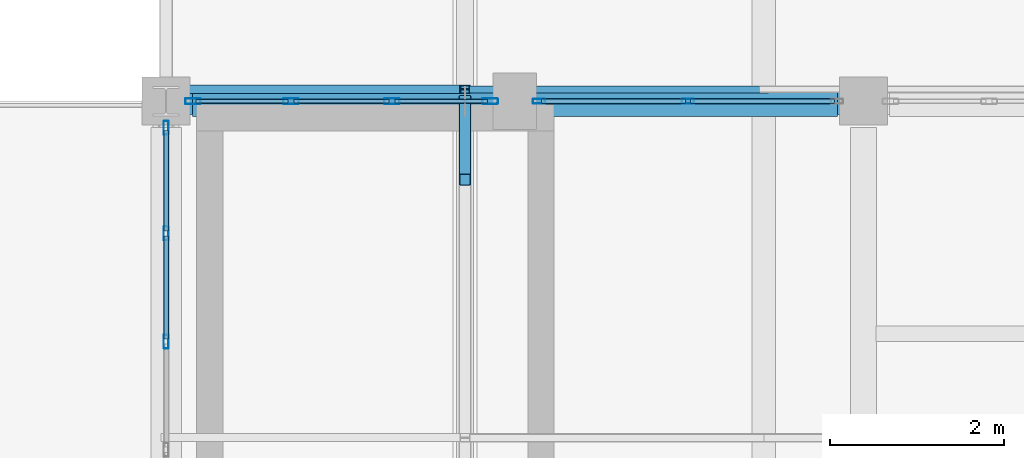
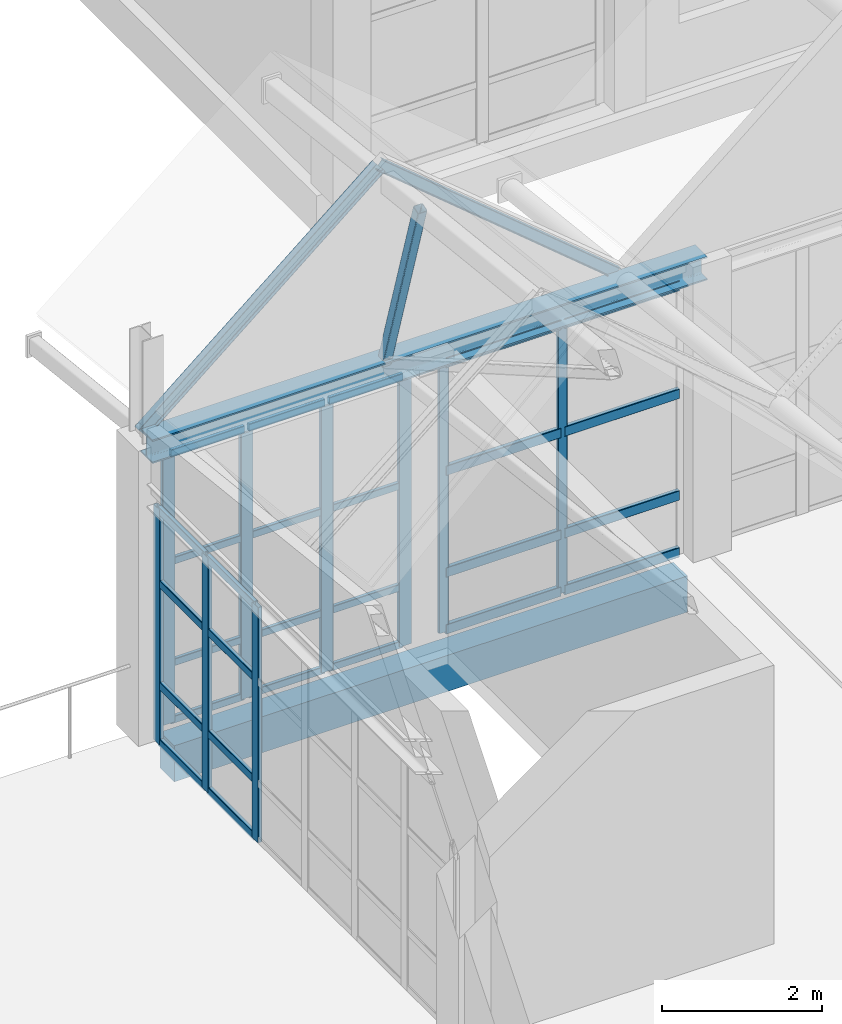
# One storey, part 60 of 183: 40 members, 2 beams, 3 elements without a shape of their own.
"""IFC4 building model written with IfcOpenShell, lengths in metres."""

import ifcopenshell
import ifcopenshell.guid

model = None  # the IFC model being written
_history = None  # IfcOwnerHistory: only IFC2X3 demands one
_inside = {}  # id of a spatial element -> (the spatial element, [elements in it])
_under = {}  # id of a project, library or spatial element -> (it, [spatial elements below it])
_declared = {}  # id of a project -> (the project, [libraries it declares])
_typed = {}  # id of a type object -> (the type object, [elements of that type])
_made_of = {}  # id of a material, layer set ... -> (it, [elements and type objects made of it])


def new_model(schema):
    """Start an empty IFC model of exactly this schema.

    Asked for "IFC4X3", IfcOpenShell would pick the latest addendum, in which some entities
    have other attributes; the version numbers below select the first issue.
    IFC2X3 requires an IfcOwnerHistory on every rooted entity: one is made here for all.
    """
    global model, _history
    if schema == "IFC4X3":
        model = ifcopenshell.file(schema_version=(4, 3, 0, 0))
    else:
        model = ifcopenshell.file(schema=schema)
    _inside.clear()
    _under.clear()
    _declared.clear()
    _typed.clear()
    _made_of.clear()
    _history = None
    if model.schema == "IFC2X3":
        org = make("IfcOrganization", Name="unknown")
        user = make(
            "IfcPersonAndOrganization",
            ThePerson=make("IfcPerson", FamilyName="unknown"),
            TheOrganization=org,
        )
        app = make(
            "IfcApplication",
            ApplicationDeveloper=org,
            Version="unknown",
            ApplicationFullName="unknown",
            ApplicationIdentifier="unknown",
        )
        _history = make(
            "IfcOwnerHistory",
            OwningUser=user,
            OwningApplication=app,
            ChangeAction="ADDED",
            CreationDate=0,
        )
    return model


def make(cls, **values):
    """One entity of the class cls with the attributes given. An attribute that is None is left unset."""
    return model.create_entity(
        cls, **{name: value for name, value in values.items() if value is not None}
    )


def rooted(cls, **values):
    """An entity with a GlobalId (a new one), such as an element, a storey or a relation."""
    return make(cls, GlobalId=ifcopenshell.guid.new(), OwnerHistory=_history, **values)


def si_unit(unit_type, name, prefix=None):
    """IfcSIUnit, for example si_unit("LENGTHUNIT", "METRE", prefix="MILLI")."""
    return make("IfcSIUnit", UnitType=unit_type, Prefix=prefix, Name=name)


def assignment(units):
    """IfcUnitAssignment: the units of a project."""
    return None if units is None else make("IfcUnitAssignment", Units=units)


def point(xyz):
    """IfcCartesianPoint."""
    return None if xyz is None else make("IfcCartesianPoint", Coordinates=xyz)


def direction(xyz):
    """IfcDirection."""
    return None if xyz is None else make("IfcDirection", DirectionRatios=xyz)


def frame(location, z_axis=None, x_axis=None):
    """IfcAxis2Placement3D, a coordinate frame: its origin and axes. An axis left out is left unset."""
    return make(
        "IfcAxis2Placement3D",
        Location=point(location),
        Axis=direction(z_axis),
        RefDirection=direction(x_axis),
    )


def frame_2d(location, x_axis=None):
    """IfcAxis2Placement2D, a coordinate frame in the plane: its origin and x axis."""
    return make(
        "IfcAxis2Placement2D", Location=point(location), RefDirection=direction(x_axis)
    )


def origin():
    """The frame at (0, 0, 0) with its axes left unset."""
    return frame((0.0, 0.0, 0.0))


def origin_2d():
    """The frame at (0, 0) in the plane with its x axis left unset."""
    return frame_2d((0.0, 0.0))


def place(relative_to, where):
    """IfcLocalPlacement: puts the frame where relative to a parent placement (None: the world)."""
    return make(
        "IfcLocalPlacement", PlacementRelTo=relative_to, RelativePlacement=where
    )


def context(
    kind, dimensions, precision=None, world=None, true_north=None, identifier=None
):
    """IfcGeometricRepresentationContext, for example the 3D "Model" context."""
    return make(
        "IfcGeometricRepresentationContext",
        ContextIdentifier=identifier,
        ContextType=kind,
        CoordinateSpaceDimension=dimensions,
        Precision=precision,
        WorldCoordinateSystem=world,
        TrueNorth=true_north,
    )


def subcontext(parent, identifier, kind, view, scale=None):
    """IfcGeometricRepresentationSubContext, for example "Body" below "Model"."""
    return make(
        "IfcGeometricRepresentationSubContext",
        ContextIdentifier=identifier,
        ContextType=kind,
        ParentContext=parent,
        TargetScale=scale,
        TargetView=view,
    )


def project(units=None, contexts=None):
    """IfcProject with its units and contexts."""
    return rooted(
        "IfcProject",
        Name="project",
        RepresentationContexts=contexts,
        UnitsInContext=assignment(units),
    )


def spatial(cls, under=None, at=None, **own):
    """A site, building, storey or space (cls), placed at a placement, below another one or the project."""
    s = rooted(cls, ObjectPlacement=at, **own)
    if under is not None:
        _under.setdefault(under.id(), (under, []))[1].append(s)
    return s


def profile(cls, at=None, kind="AREA", **sizes):
    """A parametric profile (cls). Its sizes go by their IFC names, for example OverallWidth=200.0."""
    return make(cls, ProfileType=kind, Position=at, **sizes)


def rectangle(**sizes):
    """IfcRectangleProfileDef."""
    return profile("IfcRectangleProfileDef", **sizes)


def hollow_rectangle(**sizes):
    """IfcRectangleHollowProfileDef."""
    return profile("IfcRectangleHollowProfileDef", **sizes)


def i_section(**sizes):
    """IfcIShapeProfileDef."""
    return profile("IfcIShapeProfileDef", **sizes)


def extrude(swept, where, along, depth):
    """IfcExtrudedAreaSolid: the profile swept, set in the frame where, extruded along a direction by depth."""
    return make(
        "IfcExtrudedAreaSolid",
        SweptArea=swept,
        Position=where,
        ExtrudedDirection=direction(along),
        Depth=depth,
    )


def shape(context_of_items, identifier, shape_type, items):
    """IfcShapeRepresentation: the items that make up one representation, for example the "Body"."""
    return make(
        "IfcShapeRepresentation",
        ContextOfItems=context_of_items,
        RepresentationIdentifier=identifier,
        RepresentationType=shape_type,
        Items=items,
    )


def material(Name=None, Category=None):
    """IfcMaterial."""
    return make("IfcMaterial", Name=Name, Category=Category)


def material_profile(
    of_material, cross_section, Name=None, Category=None, Priority=None
):
    """IfcMaterialProfile: a cross section and its material."""
    return make(
        "IfcMaterialProfile",
        Name=Name,
        Material=of_material,
        Profile=cross_section,
        Priority=Priority,
        Category=Category,
    )


def profile_set(profiles, Name=None, composite=None):
    """IfcMaterialProfileSet."""
    return make(
        "IfcMaterialProfileSet",
        Name=Name,
        MaterialProfiles=profiles,
        CompositeProfile=composite,
    )


def made_of(thing, what):
    """Note that an element or type object is made of a material, layer set ...; save() writes the relation."""
    if what is not None:
        _made_of.setdefault(what.id(), (what, []))[1].append(thing)
    return thing


def type_object(cls, material=None, **own):
    """A type object (cls), such as IfcWallType, which elements share."""
    return made_of(rooted(cls, **own), material)


def element(
    cls,
    number,
    at=None,
    inside=None,
    cuts=None,
    type_object=None,
    material=None,
    context=None,
    identifier="Body",
    shape_type=None,
    held_by="IfcProductDefinitionShape",
    body=None,
    shapes=None,
    **own,
):
    """One element of the class cls, such as IfcWall. Its Tag is "e" and its number.

    at: its placement. inside: the storey or other place that contains it. cuts: it is an
    opening in that element (IfcRelVoidsElement). A single representation is given by context,
    identifier, shape_type and body (its items); several are given by shapes. held_by: the class
    of the entity that holds the representations. save() writes the other relations.
    """
    e = rooted(cls, Tag="e%d" % number, ObjectPlacement=at, **own)
    if body is not None:
        shapes = [shape(context, identifier, shape_type, body)]
    if shapes is not None:
        e.Representation = make(held_by, Representations=shapes)
    if inside is not None:
        _inside.setdefault(inside.id(), (inside, []))[1].append(e)
    if cuts is not None:
        rooted(
            "IfcRelVoidsElement", RelatingBuildingElement=cuts, RelatedOpeningElement=e
        )
    if type_object is not None:
        _typed.setdefault(type_object.id(), (type_object, []))[1].append(e)
    return made_of(e, material)


def aggregate(whole, parts):
    """IfcRelAggregates: a whole, such as a stair, and the parts it consists of."""
    return rooted("IfcRelAggregates", RelatingObject=whole, RelatedObjects=parts)


def save(model, path):
    """Write the relations noted so far, then the file.

    IfcRelAggregates (storeys below a building ...), IfcRelContainedInSpatialStructure (elements
    in a storey), IfcRelDefinesByType, IfcRelAssociatesMaterial and IfcRelDeclares: one each for
    every whole, place, type object, material and project.
    """
    for whole, parts in _under.values():
        aggregate(whole, parts)
    for where, things in _inside.values():
        rooted(
            "IfcRelContainedInSpatialStructure",
            RelatedElements=things,
            RelatingStructure=where,
        )
    for kind, things in _typed.values():
        rooted("IfcRelDefinesByType", RelatedObjects=things, RelatingType=kind)
    for what, things in _made_of.values():
        rooted("IfcRelAssociatesMaterial", RelatedObjects=things, RelatingMaterial=what)
    for by, libraries in _declared.values():
        rooted("IfcRelDeclares", RelatingContext=by, RelatedDefinitions=libraries)
    model.write(path)


model = new_model("IFC4")

# Units and contexts
model_context = context("Model", 3, precision=1e-05, world=origin(), true_north=direction((0.0, 1.0)))
body_context = subcontext(model_context, "Body", "Model", "MODEL_VIEW")
ifc_project = project(units=[si_unit("LENGTHUNIT", "METRE"), si_unit("AREAUNIT", "SQUARE_METRE"), si_unit("VOLUMEUNIT", "CUBIC_METRE"), si_unit("PLANEANGLEUNIT", "RADIAN"), si_unit("MASSUNIT", "GRAM", prefix="KILO")], contexts=[model_context])

# Site, building, storey
site_placement = place(None, origin())
site = spatial("IfcSite", under=ifc_project, at=site_placement, CompositionType="ELEMENT")
building_placement = place(site_placement, origin())
building = spatial("IfcBuilding", under=site, at=building_placement, Name="Luwemba Playhouse", CompositionType="ELEMENT")
storey_placement = place(building_placement, frame((0.0, 0.0, 4.800048828125)))
storey = spatial("IfcBuildingStorey", under=building, at=storey_placement, Name="L01", CompositionType="ELEMENT", Elevation=4.800048828125)

# Beams
ifc_material_1 = material(Name="Steel S355", Category="steel")
ifc_material_profile_1 = material_profile(ifc_material_1, i_section(OverallWidth=0.300048828125, OverallDepth=0.360107421875, WebThickness=0.012451171875, FlangeThickness=0.0224609375, FilletRadius=0.027099609375, at=origin_2d()))
ifc_profile_set_1 = profile_set([ifc_material_profile_1], Name="Steel S355")
beam_type_1 = type_object("IfcBeamType", Name="BM-SB09", PredefinedType="BEAM", material=ifc_profile_set_1)
beam_1_placement = place(storey_placement, frame((124.0, 27.0, 4.320068359375), z_axis=(1.0, 0.0, 0.0), x_axis=(0.0, 1.0, 0.0)))
element("IfcBeam", 1, at=beam_1_placement, inside=storey, type_object=beam_type_1, Name="RF-V5E eave ring beam 0297", PredefinedType="BEAM", context=body_context, shape_type="SweptSolid", body=[
    extrude(i_section(OverallWidth=0.300048828125, OverallDepth=0.360107421875, WebThickness=0.012451171875, FlangeThickness=0.0224609375, FilletRadius=0.027099609375, at=origin_2d()), origin(), (0.0, 0.0, 1.0), 8.0),
])
ifc_material_2 = material(Name="Concrete C40/50", Category="concrete")
ifc_material_profile_2 = material_profile(ifc_material_2, rectangle(XDim=0.35009765625, YDim=0.550048828125, at=origin_2d()))
ifc_profile_set_2 = profile_set([ifc_material_profile_2], Name="Concrete C40/50")
beam_type_2 = type_object("IfcBeamType", Name="BM-SP2", PredefinedType="SPANDREL", material=ifc_profile_set_2)
beam_2_placement = place(storey_placement, frame((124.300048828125, 27.0, -0.525146484375), z_axis=(1.0, 0.0, 0.0), x_axis=(0.0, 1.0, 0.0)))
element("IfcBeam", 2, at=beam_2_placement, inside=storey, type_object=beam_type_2, Name="L01 grid girder 0537", PredefinedType="SPANDREL", context=body_context, shape_type="SweptSolid", body=[
    extrude(rectangle(XDim=0.35009765625, YDim=0.550048828125, at=origin_2d()), origin(), (0.0, 0.0, 1.0), 7.39990234375),
])

# Curtain wall, members
ifc_material_3 = material(Name="Solar-control double glazing", Category="glass")
curtain_wall_type_1 = type_object("IfcCurtainWallType", Name="CW-CW116", PredefinedType="USERDEFINED", material=ifc_material_3)
curtain_wall_1_placement = place(storey_placement, origin())
curtain_wall_1 = element("IfcCurtainWall", 3, at=curtain_wall_1_placement, inside=storey, type_object=curtain_wall_type_1, Name="L01 V5E unitised curtain wall 154", ObjectType="UNITISED GLAZING", PredefinedType="USERDEFINED")
ifc_material_4 = material(Name="Aluminium 6063-T6", Category="aluminium")
ifc_material_profile_3 = material_profile(ifc_material_4, hollow_rectangle(XDim=0.06005859375, YDim=0.159912109375, WallThickness=0.00390625, InnerFilletRadius=0.006103515625, OuterFilletRadius=0.010009765625, at=origin_2d()))
ifc_profile_set_3 = profile_set([ifc_material_profile_3], Name="Aluminium 6063-T6")
member_type_1 = type_object("IfcMemberType", Name="CWM-M1", PredefinedType="MULLION", material=ifc_profile_set_3)
member_1_placement = place(storey_placement, frame((124.0, 24.24169921875, 0.0), z_axis=(0.0, 0.0, 1.0), x_axis=(-1.0, 0.0, 0.0)))
member_1 = element("IfcMember", 4, at=member_1_placement, type_object=member_type_1, Name="CW116 mullion 5", PredefinedType="MULLION", context=body_context, shape_type="SweptSolid", body=[
    extrude(hollow_rectangle(XDim=0.06005859375, YDim=0.159912109375, WallThickness=0.00390625, InnerFilletRadius=0.006103515625, OuterFilletRadius=0.010009765625, at=origin_2d()), origin(), (0.0, 0.0, 1.0), 3.5849609375),
])
member_2_placement = place(storey_placement, frame((124.0, 25.4833984375, 0.0), z_axis=(0.0, 0.0, 1.0), x_axis=(-1.0, 0.0, 0.0)))
member_2 = element("IfcMember", 5, at=member_2_placement, type_object=member_type_1, Name="CW116 mullion 6", PredefinedType="MULLION", context=body_context, shape_type="SweptSolid", body=[
    extrude(hollow_rectangle(XDim=0.06005859375, YDim=0.159912109375, WallThickness=0.00390625, InnerFilletRadius=0.006103515625, OuterFilletRadius=0.010009765625, at=origin_2d()), origin(), (0.0, 0.0, 1.0), 3.5849609375),
])
member_3_placement = place(storey_placement, frame((124.0, 26.695068359375, 0.0), z_axis=(0.0, 0.0, 1.0), x_axis=(-1.0, 0.0, 0.0)))
member_3 = element("IfcMember", 6, at=member_3_placement, type_object=member_type_1, Name="CW116 mullion 7", PredefinedType="MULLION", context=body_context, shape_type="SweptSolid", body=[
    extrude(hollow_rectangle(XDim=0.06005859375, YDim=0.159912109375, WallThickness=0.00390625, InnerFilletRadius=0.006103515625, OuterFilletRadius=0.010009765625, at=origin_2d()), origin(), (0.0, 0.0, 1.0), 3.5849609375),
])

curtain_wall_type_2 = type_object("IfcCurtainWallType", Name="CW-CW117", PredefinedType="USERDEFINED", material=ifc_material_3)
curtain_wall_2_placement = place(storey_placement, origin())
curtain_wall_2 = element("IfcCurtainWall", 7, at=curtain_wall_2_placement, inside=storey, type_object=curtain_wall_type_2, Name="L01 V5E unitised curtain wall 155", ObjectType="UNITISED GLAZING", PredefinedType="USERDEFINED")
ifc_material_profile_4 = material_profile(ifc_material_4, hollow_rectangle(XDim=0.06494140625, YDim=0.179931640625, WallThickness=0.00439453125, InnerFilletRadius=0.0068359375, OuterFilletRadius=0.01123046875, at=origin_2d()))
ifc_profile_set_4 = profile_set([ifc_material_profile_4], Name="Aluminium 6063-T6")
member_type_2 = type_object("IfcMemberType", Name="CWM-M2", PredefinedType="MULLION", material=ifc_profile_set_4)
member_4_placement = place(storey_placement, frame((124.3076171875, 27.0, 0.0), z_axis=(0.0, 0.0, 1.0), x_axis=(0.0, 1.0, 0.0)))
member_4 = element("IfcMember", 8, at=member_4_placement, type_object=member_type_2, Name="CW117 mullion 1", PredefinedType="MULLION", context=body_context, shape_type="SweptSolid", body=[
    extrude(hollow_rectangle(XDim=0.06494140625, YDim=0.179931640625, WallThickness=0.00439453125, InnerFilletRadius=0.0068359375, OuterFilletRadius=0.01123046875, at=origin_2d()), origin(), (0.0, 0.0, 1.0), 4.125),
])
member_5_placement = place(storey_placement, frame((125.433349609375, 27.0, 0.0), z_axis=(0.0, 0.0, 1.0), x_axis=(0.0, 1.0, 0.0)))
member_5 = element("IfcMember", 9, at=member_5_placement, type_object=member_type_2, Name="CW117 mullion 2", PredefinedType="MULLION", context=body_context, shape_type="SweptSolid", body=[
    extrude(hollow_rectangle(XDim=0.06494140625, YDim=0.179931640625, WallThickness=0.00439453125, InnerFilletRadius=0.0068359375, OuterFilletRadius=0.01123046875, at=origin_2d()), origin(), (0.0, 0.0, 1.0), 4.125),
])
member_6_placement = place(storey_placement, frame((126.591552734375, 27.0, 0.0), z_axis=(0.0, 0.0, 1.0), x_axis=(0.0, 1.0, 0.0)))
member_6 = element("IfcMember", 10, at=member_6_placement, type_object=member_type_2, Name="CW117 mullion 3", PredefinedType="MULLION", context=body_context, shape_type="SweptSolid", body=[
    extrude(hollow_rectangle(XDim=0.06494140625, YDim=0.179931640625, WallThickness=0.00439453125, InnerFilletRadius=0.0068359375, OuterFilletRadius=0.01123046875, at=origin_2d()), origin(), (0.0, 0.0, 1.0), 4.125),
])
member_7_placement = place(storey_placement, frame((127.717529296875, 27.0, 0.0), z_axis=(0.0, 0.0, 1.0), x_axis=(0.0, 1.0, 0.0)))
member_7 = element("IfcMember", 11, at=member_7_placement, type_object=member_type_2, Name="CW117 mullion 4", PredefinedType="MULLION", context=body_context, shape_type="SweptSolid", body=[
    extrude(hollow_rectangle(XDim=0.06494140625, YDim=0.179931640625, WallThickness=0.00439453125, InnerFilletRadius=0.0068359375, OuterFilletRadius=0.01123046875, at=origin_2d()), origin(), (0.0, 0.0, 1.0), 4.125),
])

curtain_wall_type_3 = type_object("IfcCurtainWallType", Name="CW-CW118", PredefinedType="USERDEFINED", material=ifc_material_3)
curtain_wall_3_placement = place(storey_placement, origin())
curtain_wall_3 = element("IfcCurtainWall", 12, at=curtain_wall_3_placement, inside=storey, type_object=curtain_wall_type_3, Name="L01 V5E unitised curtain wall 156", ObjectType="UNITISED GLAZING", PredefinedType="USERDEFINED")
ifc_material_profile_5 = material_profile(ifc_material_4, hollow_rectangle(XDim=0.054931640625, YDim=0.139892578125, WallThickness=0.00390625, InnerFilletRadius=0.006103515625, OuterFilletRadius=0.010009765625, at=origin_2d()))
ifc_profile_set_5 = profile_set([ifc_material_profile_5], Name="Aluminium 6063-T6")
member_type_3 = type_object("IfcMemberType", Name="CWM-M3", PredefinedType="MULLION", material=ifc_profile_set_5)
member_8_placement = place(storey_placement, frame((128.277587890625, 27.0, 0.0), z_axis=(0.0, 0.0, 1.0), x_axis=(0.0, 1.0, 0.0)))
member_8 = element("IfcMember", 13, at=member_8_placement, type_object=member_type_3, Name="CW118 mullion 1", PredefinedType="MULLION", context=body_context, shape_type="SweptSolid", body=[
    extrude(hollow_rectangle(XDim=0.054931640625, YDim=0.139892578125, WallThickness=0.00390625, InnerFilletRadius=0.006103515625, OuterFilletRadius=0.010009765625, at=origin_2d()), origin(), (0.0, 0.0, 1.0), 4.125),
])
member_9_placement = place(storey_placement, frame((129.987548828125, 27.0, 0.0), z_axis=(0.0, 0.0, 1.0), x_axis=(0.0, 1.0, 0.0)))
member_9 = element("IfcMember", 14, at=member_9_placement, type_object=member_type_3, Name="CW118 mullion 2", PredefinedType="MULLION", context=body_context, shape_type="SweptSolid", body=[
    extrude(hollow_rectangle(XDim=0.054931640625, YDim=0.139892578125, WallThickness=0.00390625, InnerFilletRadius=0.006103515625, OuterFilletRadius=0.010009765625, at=origin_2d()), origin(), (0.0, 0.0, 1.0), 4.125),
])

# Member
ifc_material_profile_6 = material_profile(ifc_material_4, hollow_rectangle(XDim=0.06005859375, YDim=0.1201171875, WallThickness=0.00390625, InnerFilletRadius=0.006103515625, OuterFilletRadius=0.010009765625, at=origin_2d()))
ifc_profile_set_6 = profile_set([ifc_material_profile_6], Name="Aluminium 6063-T6")
member_type_4 = type_object("IfcMemberType", Name="CWT-T1", PredefinedType="USERDEFINED", material=ifc_profile_set_6)
member_10_placement = place(storey_placement, frame((124.0, 24.271728515625, 0.030029296875), z_axis=(0.0, 1.0, 0.0), x_axis=(-1.0, 0.0, 0.0)))
member_10 = element("IfcMember", 15, at=member_10_placement, type_object=member_type_4, Name="CW116 transom 5.1", ObjectType="TRANSOM", PredefinedType="USERDEFINED", context=body_context, shape_type="SweptSolid", body=[
    extrude(hollow_rectangle(XDim=0.06005859375, YDim=0.1201171875, WallThickness=0.00390625, InnerFilletRadius=0.006103515625, OuterFilletRadius=0.010009765625, at=origin_2d()), origin(), (0.0, 0.0, 1.0), 1.181640625),
])

member_11_placement = place(storey_placement, frame((124.0, 24.271728515625, 0.89990234375), z_axis=(0.0, 1.0, 0.0), x_axis=(-1.0, 0.0, 0.0)))
member_11 = element("IfcMember", 16, at=member_11_placement, type_object=member_type_4, Name="CW116 transom 5.2", ObjectType="TRANSOM", PredefinedType="USERDEFINED", context=body_context, shape_type="SweptSolid", body=[
    extrude(hollow_rectangle(XDim=0.06005859375, YDim=0.1201171875, WallThickness=0.00390625, InnerFilletRadius=0.006103515625, OuterFilletRadius=0.010009765625, at=origin_2d()), origin(), (0.0, 0.0, 1.0), 1.181640625),
])

member_12_placement = place(storey_placement, frame((124.0, 24.271728515625, 2.449951171875), z_axis=(0.0, 1.0, 0.0), x_axis=(-1.0, 0.0, 0.0)))
member_12 = element("IfcMember", 17, at=member_12_placement, type_object=member_type_4, Name="CW116 transom 5.3", ObjectType="TRANSOM", PredefinedType="USERDEFINED", context=body_context, shape_type="SweptSolid", body=[
    extrude(hollow_rectangle(XDim=0.06005859375, YDim=0.1201171875, WallThickness=0.00390625, InnerFilletRadius=0.006103515625, OuterFilletRadius=0.010009765625, at=origin_2d()), origin(), (0.0, 0.0, 1.0), 1.181640625),
])

member_13_placement = place(storey_placement, frame((124.0, 24.271728515625, 3.554931640625), z_axis=(0.0, 1.0, 0.0), x_axis=(-1.0, 0.0, 0.0)))
member_13 = element("IfcMember", 18, at=member_13_placement, type_object=member_type_4, Name="CW116 transom 5.4", ObjectType="TRANSOM", PredefinedType="USERDEFINED", context=body_context, shape_type="SweptSolid", body=[
    extrude(hollow_rectangle(XDim=0.06005859375, YDim=0.1201171875, WallThickness=0.00390625, InnerFilletRadius=0.006103515625, OuterFilletRadius=0.010009765625, at=origin_2d()), origin(), (0.0, 0.0, 1.0), 1.181640625),
])

member_14_placement = place(storey_placement, frame((124.0, 25.513427734375, 0.030029296875), z_axis=(0.0, 1.0, 0.0), x_axis=(-1.0, 0.0, 0.0)))
member_14 = element("IfcMember", 19, at=member_14_placement, type_object=member_type_4, Name="CW116 transom 6.1", ObjectType="TRANSOM", PredefinedType="USERDEFINED", context=body_context, shape_type="SweptSolid", body=[
    extrude(hollow_rectangle(XDim=0.06005859375, YDim=0.1201171875, WallThickness=0.00390625, InnerFilletRadius=0.006103515625, OuterFilletRadius=0.010009765625, at=origin_2d()), origin(), (0.0, 0.0, 1.0), 1.151611328125),
])

member_15_placement = place(storey_placement, frame((124.0, 25.513427734375, 0.89990234375), z_axis=(0.0, 1.0, 0.0), x_axis=(-1.0, 0.0, 0.0)))
member_15 = element("IfcMember", 20, at=member_15_placement, type_object=member_type_4, Name="CW116 transom 6.2", ObjectType="TRANSOM", PredefinedType="USERDEFINED", context=body_context, shape_type="SweptSolid", body=[
    extrude(hollow_rectangle(XDim=0.06005859375, YDim=0.1201171875, WallThickness=0.00390625, InnerFilletRadius=0.006103515625, OuterFilletRadius=0.010009765625, at=origin_2d()), origin(), (0.0, 0.0, 1.0), 1.151611328125),
])

member_16_placement = place(storey_placement, frame((124.0, 25.513427734375, 2.449951171875), z_axis=(0.0, 1.0, 0.0), x_axis=(-1.0, 0.0, 0.0)))
member_16 = element("IfcMember", 21, at=member_16_placement, type_object=member_type_4, Name="CW116 transom 6.3", ObjectType="TRANSOM", PredefinedType="USERDEFINED", context=body_context, shape_type="SweptSolid", body=[
    extrude(hollow_rectangle(XDim=0.06005859375, YDim=0.1201171875, WallThickness=0.00390625, InnerFilletRadius=0.006103515625, OuterFilletRadius=0.010009765625, at=origin_2d()), origin(), (0.0, 0.0, 1.0), 1.151611328125),
])

member_17_placement = place(storey_placement, frame((124.0, 25.513427734375, 3.554931640625), z_axis=(0.0, 1.0, 0.0), x_axis=(-1.0, 0.0, 0.0)))
member_17 = element("IfcMember", 22, at=member_17_placement, type_object=member_type_4, Name="CW116 transom 6.4", ObjectType="TRANSOM", PredefinedType="USERDEFINED", context=body_context, shape_type="SweptSolid", body=[
    extrude(hollow_rectangle(XDim=0.06005859375, YDim=0.1201171875, WallThickness=0.00390625, InnerFilletRadius=0.006103515625, OuterFilletRadius=0.010009765625, at=origin_2d()), origin(), (0.0, 0.0, 1.0), 1.151611328125),
])

aggregate(curtain_wall_1, [member_1, member_2, member_3, member_10, member_11, member_12, member_13, member_14, member_15, member_16, member_17])

ifc_material_profile_7 = material_profile(ifc_material_4, hollow_rectangle(XDim=0.054931640625, YDim=0.110107421875, WallThickness=0.00341796875, InnerFilletRadius=0.00537109375, OuterFilletRadius=0.0087890625, at=origin_2d()))
ifc_profile_set_7 = profile_set([ifc_material_profile_7], Name="Aluminium 6063-T6")
member_type_5 = type_object("IfcMemberType", Name="CWT-T2", PredefinedType="USERDEFINED", material=ifc_profile_set_7)
member_18_placement = place(storey_placement, frame((124.340087890625, 27.0, 0.02734375), z_axis=(1.0, 0.0, 0.0), x_axis=(0.0, 1.0, 0.0)))
member_18 = element("IfcMember", 23, at=member_18_placement, type_object=member_type_5, Name="CW117 transom 1.1", ObjectType="TRANSOM", PredefinedType="USERDEFINED", context=body_context, shape_type="SweptSolid", body=[
    extrude(hollow_rectangle(XDim=0.054931640625, YDim=0.110107421875, WallThickness=0.00341796875, InnerFilletRadius=0.00537109375, OuterFilletRadius=0.0087890625, at=origin_2d()), origin(), (0.0, 0.0, 1.0), 1.060791015625),
])

member_19_placement = place(storey_placement, frame((124.340087890625, 27.0, 0.89990234375), z_axis=(1.0, 0.0, 0.0), x_axis=(0.0, 1.0, 0.0)))
member_19 = element("IfcMember", 24, at=member_19_placement, type_object=member_type_5, Name="CW117 transom 1.2", ObjectType="TRANSOM", PredefinedType="USERDEFINED", context=body_context, shape_type="SweptSolid", body=[
    extrude(hollow_rectangle(XDim=0.054931640625, YDim=0.110107421875, WallThickness=0.00341796875, InnerFilletRadius=0.00537109375, OuterFilletRadius=0.0087890625, at=origin_2d()), origin(), (0.0, 0.0, 1.0), 1.060791015625),
])

member_20_placement = place(storey_placement, frame((124.340087890625, 27.0, 2.449951171875), z_axis=(1.0, 0.0, 0.0), x_axis=(0.0, 1.0, 0.0)))
member_20 = element("IfcMember", 25, at=member_20_placement, type_object=member_type_5, Name="CW117 transom 1.3", ObjectType="TRANSOM", PredefinedType="USERDEFINED", context=body_context, shape_type="SweptSolid", body=[
    extrude(hollow_rectangle(XDim=0.054931640625, YDim=0.110107421875, WallThickness=0.00341796875, InnerFilletRadius=0.00537109375, OuterFilletRadius=0.0087890625, at=origin_2d()), origin(), (0.0, 0.0, 1.0), 1.060791015625),
])

member_21_placement = place(storey_placement, frame((124.340087890625, 27.0, 4.097412109375), z_axis=(1.0, 0.0, 0.0), x_axis=(0.0, 1.0, 0.0)))
member_21 = element("IfcMember", 26, at=member_21_placement, type_object=member_type_5, Name="CW117 transom 1.4", ObjectType="TRANSOM", PredefinedType="USERDEFINED", context=body_context, shape_type="SweptSolid", body=[
    extrude(hollow_rectangle(XDim=0.054931640625, YDim=0.110107421875, WallThickness=0.00341796875, InnerFilletRadius=0.00537109375, OuterFilletRadius=0.0087890625, at=origin_2d()), origin(), (0.0, 0.0, 1.0), 1.060791015625),
])

member_22_placement = place(storey_placement, frame((125.4658203125, 27.0, 0.02734375), z_axis=(1.0, 0.0, 0.0), x_axis=(0.0, 1.0, 0.0)))
member_22 = element("IfcMember", 27, at=member_22_placement, type_object=member_type_5, Name="CW117 transom 2.1", ObjectType="TRANSOM", PredefinedType="USERDEFINED", context=body_context, shape_type="SweptSolid", body=[
    extrude(hollow_rectangle(XDim=0.054931640625, YDim=0.110107421875, WallThickness=0.00341796875, InnerFilletRadius=0.00537109375, OuterFilletRadius=0.0087890625, at=origin_2d()), origin(), (0.0, 0.0, 1.0), 1.09326171875),
])

member_23_placement = place(storey_placement, frame((125.4658203125, 27.0, 0.89990234375), z_axis=(1.0, 0.0, 0.0), x_axis=(0.0, 1.0, 0.0)))
member_23 = element("IfcMember", 28, at=member_23_placement, type_object=member_type_5, Name="CW117 transom 2.2", ObjectType="TRANSOM", PredefinedType="USERDEFINED", context=body_context, shape_type="SweptSolid", body=[
    extrude(hollow_rectangle(XDim=0.054931640625, YDim=0.110107421875, WallThickness=0.00341796875, InnerFilletRadius=0.00537109375, OuterFilletRadius=0.0087890625, at=origin_2d()), origin(), (0.0, 0.0, 1.0), 1.09326171875),
])

member_24_placement = place(storey_placement, frame((125.4658203125, 27.0, 2.449951171875), z_axis=(1.0, 0.0, 0.0), x_axis=(0.0, 1.0, 0.0)))
member_24 = element("IfcMember", 29, at=member_24_placement, type_object=member_type_5, Name="CW117 transom 2.3", ObjectType="TRANSOM", PredefinedType="USERDEFINED", context=body_context, shape_type="SweptSolid", body=[
    extrude(hollow_rectangle(XDim=0.054931640625, YDim=0.110107421875, WallThickness=0.00341796875, InnerFilletRadius=0.00537109375, OuterFilletRadius=0.0087890625, at=origin_2d()), origin(), (0.0, 0.0, 1.0), 1.09326171875),
])

member_25_placement = place(storey_placement, frame((125.4658203125, 27.0, 4.097412109375), z_axis=(1.0, 0.0, 0.0), x_axis=(0.0, 1.0, 0.0)))
member_25 = element("IfcMember", 30, at=member_25_placement, type_object=member_type_5, Name="CW117 transom 2.4", ObjectType="TRANSOM", PredefinedType="USERDEFINED", context=body_context, shape_type="SweptSolid", body=[
    extrude(hollow_rectangle(XDim=0.054931640625, YDim=0.110107421875, WallThickness=0.00341796875, InnerFilletRadius=0.00537109375, OuterFilletRadius=0.0087890625, at=origin_2d()), origin(), (0.0, 0.0, 1.0), 1.09326171875),
])

member_26_placement = place(storey_placement, frame((126.624267578125, 27.0, 0.02734375), z_axis=(1.0, 0.0, 0.0), x_axis=(0.0, 1.0, 0.0)))
member_26 = element("IfcMember", 31, at=member_26_placement, type_object=member_type_5, Name="CW117 transom 3.1", ObjectType="TRANSOM", PredefinedType="USERDEFINED", context=body_context, shape_type="SweptSolid", body=[
    extrude(hollow_rectangle(XDim=0.054931640625, YDim=0.110107421875, WallThickness=0.00341796875, InnerFilletRadius=0.00537109375, OuterFilletRadius=0.0087890625, at=origin_2d()), origin(), (0.0, 0.0, 1.0), 1.060791015625),
])

member_27_placement = place(storey_placement, frame((126.624267578125, 27.0, 0.89990234375), z_axis=(1.0, 0.0, 0.0), x_axis=(0.0, 1.0, 0.0)))
member_27 = element("IfcMember", 32, at=member_27_placement, type_object=member_type_5, Name="CW117 transom 3.2", ObjectType="TRANSOM", PredefinedType="USERDEFINED", context=body_context, shape_type="SweptSolid", body=[
    extrude(hollow_rectangle(XDim=0.054931640625, YDim=0.110107421875, WallThickness=0.00341796875, InnerFilletRadius=0.00537109375, OuterFilletRadius=0.0087890625, at=origin_2d()), origin(), (0.0, 0.0, 1.0), 1.060791015625),
])

member_28_placement = place(storey_placement, frame((126.624267578125, 27.0, 2.449951171875), z_axis=(1.0, 0.0, 0.0), x_axis=(0.0, 1.0, 0.0)))
member_28 = element("IfcMember", 33, at=member_28_placement, type_object=member_type_5, Name="CW117 transom 3.3", ObjectType="TRANSOM", PredefinedType="USERDEFINED", context=body_context, shape_type="SweptSolid", body=[
    extrude(hollow_rectangle(XDim=0.054931640625, YDim=0.110107421875, WallThickness=0.00341796875, InnerFilletRadius=0.00537109375, OuterFilletRadius=0.0087890625, at=origin_2d()), origin(), (0.0, 0.0, 1.0), 1.060791015625),
])

member_29_placement = place(storey_placement, frame((126.624267578125, 27.0, 4.097412109375), z_axis=(1.0, 0.0, 0.0), x_axis=(0.0, 1.0, 0.0)))
member_29 = element("IfcMember", 34, at=member_29_placement, type_object=member_type_5, Name="CW117 transom 3.4", ObjectType="TRANSOM", PredefinedType="USERDEFINED", context=body_context, shape_type="SweptSolid", body=[
    extrude(hollow_rectangle(XDim=0.054931640625, YDim=0.110107421875, WallThickness=0.00341796875, InnerFilletRadius=0.00537109375, OuterFilletRadius=0.0087890625, at=origin_2d()), origin(), (0.0, 0.0, 1.0), 1.060791015625),
])

aggregate(curtain_wall_2, [member_4, member_5, member_6, member_7, member_18, member_19, member_20, member_21, member_22, member_23, member_24, member_25, member_26, member_27, member_28, member_29])

ifc_material_profile_8 = material_profile(ifc_material_4, hollow_rectangle(XDim=0.06494140625, YDim=0.14990234375, WallThickness=0.00390625, InnerFilletRadius=0.006103515625, OuterFilletRadius=0.010009765625, at=origin_2d()))
ifc_profile_set_8 = profile_set([ifc_material_profile_8], Name="Aluminium 6063-T6")
member_type_6 = type_object("IfcMemberType", Name="CWT-T3", PredefinedType="USERDEFINED", material=ifc_profile_set_8)
member_30_placement = place(storey_placement, frame((128.304931640625, 27.0, 0.032470703125), z_axis=(1.0, 0.0, 0.0), x_axis=(0.0, 1.0, 0.0)))
member_30 = element("IfcMember", 35, at=member_30_placement, type_object=member_type_6, Name="CW118 transom 1.1", ObjectType="TRANSOM", PredefinedType="USERDEFINED", context=body_context, shape_type="SweptSolid", body=[
    extrude(hollow_rectangle(XDim=0.06494140625, YDim=0.14990234375, WallThickness=0.00390625, InnerFilletRadius=0.006103515625, OuterFilletRadius=0.010009765625, at=origin_2d()), origin(), (0.0, 0.0, 1.0), 1.655029296875),
])

member_31_placement = place(storey_placement, frame((128.304931640625, 27.0, 0.89990234375), z_axis=(1.0, 0.0, 0.0), x_axis=(0.0, 1.0, 0.0)))
member_31 = element("IfcMember", 36, at=member_31_placement, type_object=member_type_6, Name="CW118 transom 1.2", ObjectType="TRANSOM", PredefinedType="USERDEFINED", context=body_context, shape_type="SweptSolid", body=[
    extrude(hollow_rectangle(XDim=0.06494140625, YDim=0.14990234375, WallThickness=0.00390625, InnerFilletRadius=0.006103515625, OuterFilletRadius=0.010009765625, at=origin_2d()), origin(), (0.0, 0.0, 1.0), 1.655029296875),
])

member_32_placement = place(storey_placement, frame((128.304931640625, 27.0, 2.449951171875), z_axis=(1.0, 0.0, 0.0), x_axis=(0.0, 1.0, 0.0)))
member_32 = element("IfcMember", 37, at=member_32_placement, type_object=member_type_6, Name="CW118 transom 1.3", ObjectType="TRANSOM", PredefinedType="USERDEFINED", context=body_context, shape_type="SweptSolid", body=[
    extrude(hollow_rectangle(XDim=0.06494140625, YDim=0.14990234375, WallThickness=0.00390625, InnerFilletRadius=0.006103515625, OuterFilletRadius=0.010009765625, at=origin_2d()), origin(), (0.0, 0.0, 1.0), 1.655029296875),
])

member_33_placement = place(storey_placement, frame((128.304931640625, 27.0, 4.092529296875), z_axis=(1.0, 0.0, 0.0), x_axis=(0.0, 1.0, 0.0)))
member_33 = element("IfcMember", 38, at=member_33_placement, type_object=member_type_6, Name="CW118 transom 1.4", ObjectType="TRANSOM", PredefinedType="USERDEFINED", context=body_context, shape_type="SweptSolid", body=[
    extrude(hollow_rectangle(XDim=0.06494140625, YDim=0.14990234375, WallThickness=0.00390625, InnerFilletRadius=0.006103515625, OuterFilletRadius=0.010009765625, at=origin_2d()), origin(), (0.0, 0.0, 1.0), 1.655029296875),
])

member_34_placement = place(storey_placement, frame((130.014892578125, 27.0, 0.032470703125), z_axis=(1.0, 0.0, 0.0), x_axis=(0.0, 1.0, 0.0)))
member_34 = element("IfcMember", 39, at=member_34_placement, type_object=member_type_6, Name="CW118 transom 2.1", ObjectType="TRANSOM", PredefinedType="USERDEFINED", context=body_context, shape_type="SweptSolid", body=[
    extrude(hollow_rectangle(XDim=0.06494140625, YDim=0.14990234375, WallThickness=0.00390625, InnerFilletRadius=0.006103515625, OuterFilletRadius=0.010009765625, at=origin_2d()), origin(), (0.0, 0.0, 1.0), 1.655029296875),
])

member_35_placement = place(storey_placement, frame((130.014892578125, 27.0, 0.89990234375), z_axis=(1.0, 0.0, 0.0), x_axis=(0.0, 1.0, 0.0)))
member_35 = element("IfcMember", 40, at=member_35_placement, type_object=member_type_6, Name="CW118 transom 2.2", ObjectType="TRANSOM", PredefinedType="USERDEFINED", context=body_context, shape_type="SweptSolid", body=[
    extrude(hollow_rectangle(XDim=0.06494140625, YDim=0.14990234375, WallThickness=0.00390625, InnerFilletRadius=0.006103515625, OuterFilletRadius=0.010009765625, at=origin_2d()), origin(), (0.0, 0.0, 1.0), 1.655029296875),
])

member_36_placement = place(storey_placement, frame((130.014892578125, 27.0, 2.449951171875), z_axis=(1.0, 0.0, 0.0), x_axis=(0.0, 1.0, 0.0)))
member_36 = element("IfcMember", 41, at=member_36_placement, type_object=member_type_6, Name="CW118 transom 2.3", ObjectType="TRANSOM", PredefinedType="USERDEFINED", context=body_context, shape_type="SweptSolid", body=[
    extrude(hollow_rectangle(XDim=0.06494140625, YDim=0.14990234375, WallThickness=0.00390625, InnerFilletRadius=0.006103515625, OuterFilletRadius=0.010009765625, at=origin_2d()), origin(), (0.0, 0.0, 1.0), 1.655029296875),
])

member_37_placement = place(storey_placement, frame((130.014892578125, 27.0, 4.092529296875), z_axis=(1.0, 0.0, 0.0), x_axis=(0.0, 1.0, 0.0)))
member_37 = element("IfcMember", 42, at=member_37_placement, type_object=member_type_6, Name="CW118 transom 2.4", ObjectType="TRANSOM", PredefinedType="USERDEFINED", context=body_context, shape_type="SweptSolid", body=[
    extrude(hollow_rectangle(XDim=0.06494140625, YDim=0.14990234375, WallThickness=0.00390625, InnerFilletRadius=0.006103515625, OuterFilletRadius=0.010009765625, at=origin_2d()), origin(), (0.0, 0.0, 1.0), 1.655029296875),
])

aggregate(curtain_wall_3, [member_8, member_9, member_30, member_31, member_32, member_33, member_34, member_35, member_36, member_37])

# Members
ifc_material_profile_9 = material_profile(ifc_material_1, hollow_rectangle(XDim=0.139892578125, YDim=0.139892578125, WallThickness=0.008056640625, InnerFilletRadius=0.011962890625, OuterFilletRadius=0.02001953125, at=origin_2d()))
ifc_profile_set_9 = profile_set([ifc_material_profile_9], Name="Steel S355")
member_type_7 = type_object("IfcMemberType", Name="MEM-MB07", PredefinedType="BRACE", material=ifc_profile_set_9)
member_38_placement = place(storey_placement, frame((127.4287109375, 27.0, 4.39990234375), z_axis=(0.0, -0.297773567403, 0.954636529029), x_axis=(1.0, 0.0, 0.0)))
element("IfcMember", 43, at=member_38_placement, inside=storey, type_object=member_type_7, Name="ROOF TRUSS eave knee strut 0073", PredefinedType="BRACE", context=body_context, shape_type="SweptSolid", body=[
    extrude(hollow_rectangle(XDim=0.139892578125, YDim=0.139892578125, WallThickness=0.008056640625, InnerFilletRadius=0.011962890625, OuterFilletRadius=0.02001953125, at=origin_2d()), origin(), (0.0, 0.0, 1.0), 3.022216796875),
])
ifc_material_profile_10 = material_profile(ifc_material_1, i_section(OverallWidth=0.08203125, OverallDepth=0.159912109375, WebThickness=0.0048828125, FlangeThickness=0.00732421875, FilletRadius=0.009033203125, at=origin_2d()))
ifc_profile_set_10 = profile_set([ifc_material_profile_10], Name="Steel S355")
member_type_8 = type_object("IfcMemberType", Name="MEM-MP05", PredefinedType="PURLIN", material=ifc_profile_set_10)
member_39_placement = place(storey_placement, frame((127.4287109375, 27.135986328125, 7.33642578125), z_axis=(0.768342353216, 0.0, -0.640039083381), x_axis=(0.0, 1.0, 0.0)))
element("IfcMember", 44, at=member_39_placement, inside=storey, type_object=member_type_8, Name="Pleated roof purlin 0540", PredefinedType="PURLIN", context=body_context, shape_type="SweptSolid", body=[
    extrude(i_section(OverallWidth=0.08203125, OverallDepth=0.159912109375, WebThickness=0.0048828125, FlangeThickness=0.00732421875, FilletRadius=0.009033203125, at=origin_2d()), origin(), (0.0, 0.0, 1.0), 4.462158203125),
])
ifc_material_profile_11 = material_profile(ifc_material_1, i_section(OverallWidth=0.10009765625, OverallDepth=0.199951171875, WebThickness=0.005615234375, FlangeThickness=0.008544921875, FilletRadius=0.011962890625, at=origin_2d()))
ifc_profile_set_11 = profile_set([ifc_material_profile_11], Name="Steel S355")
member_type_9 = type_object("IfcMemberType", Name="MEM-MP07", PredefinedType="PURLIN", material=ifc_profile_set_11)
member_40_placement = place(storey_placement, frame((124.0, 27.135986328125, 4.452880859375), z_axis=(0.768364765209, 0.0, 0.640012177685), x_axis=(0.0, 1.0, 0.0)))
element("IfcMember", 45, at=member_40_placement, inside=storey, type_object=member_type_9, Name="Pleated roof purlin 0534", PredefinedType="PURLIN", context=body_context, shape_type="SweptSolid", body=[
    extrude(i_section(OverallWidth=0.10009765625, OverallDepth=0.199951171875, WebThickness=0.005615234375, FlangeThickness=0.008544921875, FilletRadius=0.011962890625, at=origin_2d()), origin(), (0.0, 0.0, 1.0), 4.46240234375),
])

save(model, "model.ifc")
